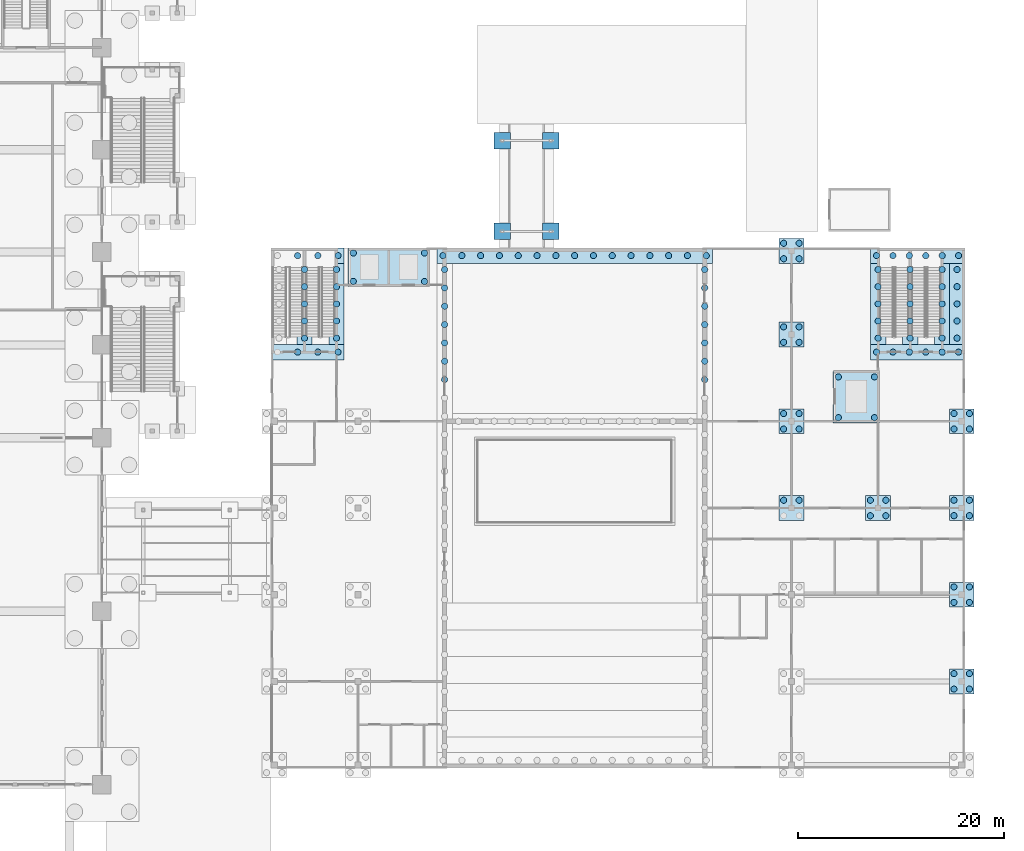
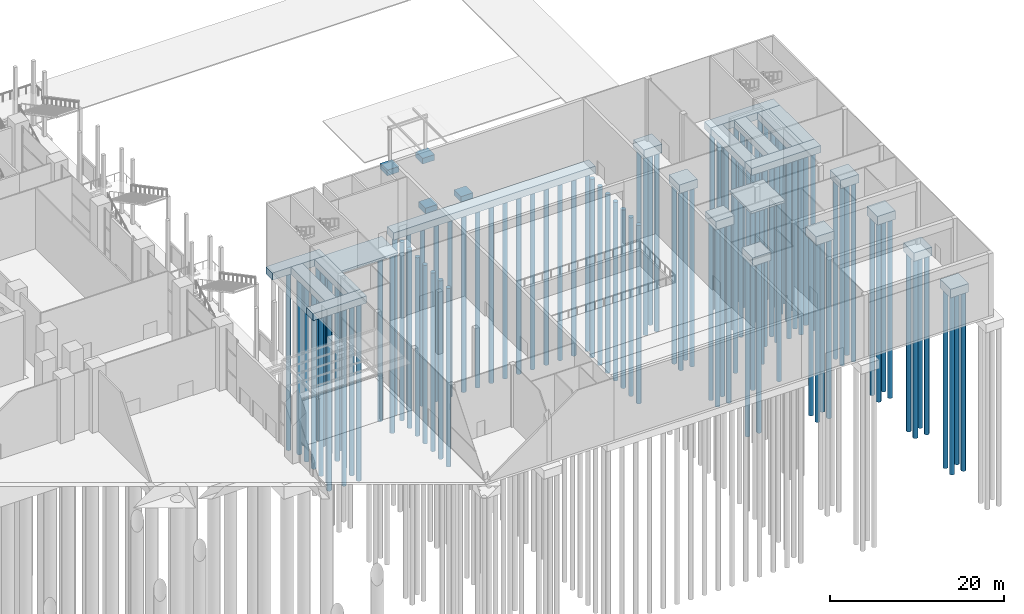
# One storey, part 4 of 72: 119 piles, 26 footings.
"""IFC4 building model written with IfcOpenShell, lengths in metres."""

from ifc_helpers import new_model, si_unit, direction, frame, origin, origin_2d, place, context, subcontext, project, spatial, polyline, circle, outline, extrude, material, layer, layer_set, type_object, element, save


model = new_model("IFC4")

# Units and contexts
model_context = context("Model", 3, precision=1e-05, world=origin(), true_north=direction((0.0, 1.0)))
body_context = subcontext(model_context, "Body", "Model", "MODEL_VIEW")
ifc_project = project(units=[si_unit("LENGTHUNIT", "METRE"), si_unit("AREAUNIT", "SQUARE_METRE"), si_unit("VOLUMEUNIT", "CUBIC_METRE"), si_unit("PLANEANGLEUNIT", "RADIAN"), si_unit("MASSUNIT", "GRAM", prefix="KILO")], contexts=[model_context])

# Site, building, storey
site_placement = place(None, origin())
site = spatial("IfcSite", under=ifc_project, at=site_placement, CompositionType="ELEMENT")
building_placement = place(site_placement, origin())
building = spatial("IfcBuilding", under=site, at=building_placement, Name="Candeia Pilgrim Tower and Theatre", CompositionType="ELEMENT")
storey_placement = place(building_placement, origin())
storey = spatial("IfcBuildingStorey", under=building, at=storey_placement, Name="L00", CompositionType="ELEMENT", Elevation=0.0)

# Footings
ifc_material = material(Name="Concrete C35/45", Category="concrete")
footing_type_1 = type_object("IfcFootingType", Name="Arcade pad footing 1600", PredefinedType="PAD_FOOTING", material=ifc_material)
footing_1_placement = place(storey_placement, frame((0.0, 0.0, -1.0)))
element("IfcFooting", 1, at=footing_1_placement, inside=storey, type_object=footing_type_1, Name="Loading canopy pad 1", PredefinedType="PAD_FOOTING", context=body_context, shape_type="SweptSolid", body=[
    extrude(outline(polyline([(197.60009765625, 117.199951171875), (199.199951171875, 117.199951171875), (199.199951171875, 118.800048828125), (197.60009765625, 118.800048828125), (197.60009765625, 117.199951171875)])), origin(), (0.0, 0.0, 1.0), 0.800048828125),
])
footing_2_placement = place(storey_placement, frame((0.0, 0.0, -1.0)))
element("IfcFooting", 2, at=footing_2_placement, inside=storey, type_object=footing_type_1, Name="Loading canopy pad 2", PredefinedType="PAD_FOOTING", context=body_context, shape_type="SweptSolid", body=[
    extrude(outline(polyline([(202.300048828125, 117.199951171875), (203.89990234375, 117.199951171875), (203.89990234375, 118.800048828125), (202.300048828125, 118.800048828125), (202.300048828125, 117.199951171875)])), origin(), (0.0, 0.0, 1.0), 0.800048828125),
])
footing_3_placement = place(storey_placement, frame((0.0, 0.0, -1.0)))
element("IfcFooting", 3, at=footing_3_placement, inside=storey, type_object=footing_type_1, Name="Loading canopy pad 3", PredefinedType="PAD_FOOTING", context=body_context, shape_type="SweptSolid", body=[
    extrude(outline(polyline([(197.60009765625, 126.0), (199.199951171875, 126.0), (199.199951171875, 127.60009765625), (197.60009765625, 127.60009765625), (197.60009765625, 126.0)])), origin(), (0.0, 0.0, 1.0), 0.800048828125),
])
footing_4_placement = place(storey_placement, frame((0.0, 0.0, -1.0)))
element("IfcFooting", 4, at=footing_4_placement, inside=storey, type_object=footing_type_1, Name="Loading canopy pad 4", PredefinedType="PAD_FOOTING", context=body_context, shape_type="SweptSolid", body=[
    extrude(outline(polyline([(202.300048828125, 126.0), (203.89990234375, 126.0), (203.89990234375, 127.60009765625), (202.300048828125, 127.60009765625), (202.300048828125, 126.0)])), origin(), (0.0, 0.0, 1.0), 0.800048828125),
])

# Piles
pile_type = type_object("IfcPileType", Name="Bored pile D600", PredefinedType="BORED", material=ifc_material)
for number, where, z_axis, x_axis, name in (
    (5, (225.64990234375, 91.949951171875, -1.5), (0.0, 0.0, -1.0), (1.0, 0.0, 0.0), "T-FP-D7-3"),
    (6, (227.14990234375, 91.949951171875, -1.5), (0.0, 0.0, -1.0), (1.0, 0.0, 0.0), "T-FP-D7-4"),
    (7, (225.64990234375, 98.85009765625, -1.5), (0.0, 0.0, -1.0), (1.0, 0.0, 0.0), "T-FP-E7-1"),
    (8, (227.14990234375, 98.85009765625, -1.5), (0.0, 0.0, -1.0), (1.0, 0.0, 0.0), "T-FP-E7-2"),
    (9, (225.64990234375, 100.35009765625, -1.5), (0.0, 0.0, -1.0), (1.0, 0.0, 0.0), "T-FP-E7-3"),
    (10, (227.14990234375, 100.35009765625, -1.5), (0.0, 0.0, -1.0), (1.0, 0.0, 0.0), "T-FP-E7-4"),
    (11, (225.64990234375, 107.25, -1.5), (0.0, 0.0, -1.0), (1.0, 0.0, 0.0), "T-FP-F7-1"),
    (12, (227.14990234375, 107.25, -1.5), (0.0, 0.0, -1.0), (1.0, 0.0, 0.0), "T-FP-F7-2"),
    (13, (225.64990234375, 108.75, -1.5), (0.0, 0.0, -1.0), (1.0, 0.0, 0.0), "T-FP-F7-3"),
    (14, (227.14990234375, 108.75, -1.5), (0.0, 0.0, -1.0), (1.0, 0.0, 0.0), "T-FP-F7-4"),
    (15, (225.64990234375, 115.35009765625, -1.5), (0.0, 0.0, -1.0), (1.0, 0.0, 0.0), "T-FP-G7-1"),
    (16, (227.14990234375, 115.35009765625, -1.5), (0.0, 0.0, -1.0), (1.0, 0.0, 0.0), "T-FP-G7-2"),
    (17, (225.64990234375, 116.85009765625, -1.5), (0.0, 0.0, -1.0), (1.0, 0.0, 0.0), "T-FP-G7-3"),
    (18, (227.14990234375, 116.85009765625, -1.5), (0.0, 0.0, -1.0), (1.0, 0.0, 0.0), "T-FP-G7-4"),
    (19, (234.050048828125, 90.449951171875, -1.5), (0.0, 0.0, -1.0), (1.0, 0.0, 0.0), "T-FP-D8-1"),
    (20, (235.550048828125, 90.449951171875, -1.5), (0.0, 0.0, -1.0), (1.0, 0.0, 0.0), "T-FP-D8-2"),
    (21, (234.050048828125, 91.949951171875, -1.5), (0.0, 0.0, -1.0), (1.0, 0.0, 0.0), "T-FP-D8-3"),
    (22, (235.550048828125, 91.949951171875, -1.5), (0.0, 0.0, -1.0), (1.0, 0.0, 0.0), "T-FP-D8-4"),
    (23, (242.14990234375, 73.64990234375, -1.5), (0.0, 0.0, -1.0), (1.0, 0.0, 0.0), "T-FP-B9-1"),
    (24, (243.64990234375, 73.64990234375, -1.5), (0.0, 0.0, -1.0), (1.0, 0.0, 0.0), "T-FP-B9-2"),
    (25, (242.14990234375, 75.14990234375, -1.5), (0.0, 0.0, -1.0), (1.0, 0.0, 0.0), "T-FP-B9-3"),
    (26, (243.64990234375, 75.14990234375, -1.5), (0.0, 0.0, -1.0), (1.0, 0.0, 0.0), "T-FP-B9-4"),
    (27, (242.14990234375, 82.050048828125, -1.5), (0.0, 0.0, -1.0), (1.0, 0.0, 0.0), "T-FP-C9-1"),
    (28, (243.64990234375, 82.050048828125, -1.5), (0.0, 0.0, -1.0), (1.0, 0.0, 0.0), "T-FP-C9-2"),
    (29, (242.14990234375, 83.550048828125, -1.5), (0.0, 0.0, -1.0), (1.0, 0.0, 0.0), "T-FP-C9-3"),
    (30, (243.64990234375, 83.550048828125, -1.5), (0.0, 0.0, -1.0), (1.0, 0.0, 0.0), "T-FP-C9-4"),
    (31, (242.14990234375, 90.449951171875, -1.5), (0.0, 0.0, -1.0), (1.0, 0.0, 0.0), "T-FP-D9-1"),
    (32, (243.64990234375, 90.449951171875, -1.5), (0.0, 0.0, -1.0), (1.0, 0.0, 0.0), "T-FP-D9-2"),
    (33, (242.14990234375, 91.949951171875, -1.5), (0.0, 0.0, -1.0), (1.0, 0.0, 0.0), "T-FP-D9-3"),
    (34, (243.64990234375, 91.949951171875, -1.5), (0.0, 0.0, -1.0), (1.0, 0.0, 0.0), "T-FP-D9-4"),
    (35, (242.14990234375, 98.85009765625, -1.5), (0.0, 0.0, -1.0), (1.0, 0.0, 0.0), "T-FP-E9-1"),
    (36, (243.64990234375, 98.85009765625, -1.5), (0.0, 0.0, -1.0), (1.0, 0.0, 0.0), "T-FP-E9-2"),
    (37, (242.14990234375, 100.35009765625, -1.5), (0.0, 0.0, -1.0), (1.0, 0.0, 0.0), "T-FP-E9-3"),
    (38, (243.64990234375, 100.35009765625, -1.5), (0.0, 0.0, -1.0), (1.0, 0.0, 0.0), "T-FP-E9-4"),
    (39, (178.558349609375, 106.300048828125, -1.300048828125), (0.0, 0.0, -1.0), (1.0, 0.0, 0.0), "T-FSP-003-2"),
    (40, (180.5166015625, 106.300048828125, -1.300048828125), (0.0, 0.0, -1.0), (1.0, 0.0, 0.0), "T-FSP-003-3"),
    (41, (182.47509765625, 106.300048828125, -1.300048828125), (0.0, 0.0, -1.0), (1.0, 0.0, 0.0), "T-FSP-003-4"),
    (42, (234.64990234375, 106.300048828125, -1.300048828125), (0.0, 0.0, -1.0), (1.0, 0.0, 0.0), "T-FSP-004-1"),
    (43, (236.239990234375, 106.300048828125, -1.300048828125), (0.0, 0.0, -1.0), (1.0, 0.0, 0.0), "T-FSP-004-2"),
    (44, (237.830078125, 106.300048828125, -1.300048828125), (0.0, 0.0, -1.0), (1.0, 0.0, 0.0), "T-FSP-004-3"),
    (45, (239.419921875, 106.300048828125, -1.300048828125), (0.0, 0.0, -1.0), (1.0, 0.0, 0.0), "T-FSP-004-4"),
    (46, (241.010009765625, 106.300048828125, -1.300048828125), (0.0, 0.0, -1.0), (1.0, 0.0, 0.0), "T-FSP-004-5"),
    (47, (242.60009765625, 106.300048828125, -1.300048828125), (0.0, 0.0, -1.0), (1.0, 0.0, 0.0), "T-FSP-004-6"),
    (48, (178.558349609375, 115.64990234375, -1.300048828125), (0.0, 0.0, -1.0), (1.0, 0.0, 0.0), "T-FSP-005-2"),
    (49, (180.5166015625, 115.64990234375, -1.300048828125), (0.0, 0.0, -1.0), (1.0, 0.0, 0.0), "T-FSP-005-3"),
    (50, (182.47509765625, 115.64990234375, -1.300048828125), (0.0, 0.0, -1.0), (1.0, 0.0, 0.0), "T-FSP-005-4"),
    (51, (192.64990234375, 115.64990234375, -1.300048828125), (0.0, 0.0, -1.0), (1.0, 0.0, 0.0), "T-FSP-006-1"),
    (52, (194.471435546875, 115.64990234375, -1.300048828125), (0.0, 0.0, -1.0), (1.0, 0.0, 0.0), "T-FSP-006-2"),
    (53, (196.29296875, 115.64990234375, -1.300048828125), (0.0, 0.0, -1.0), (1.0, 0.0, 0.0), "T-FSP-006-3"),
    (54, (198.1142578125, 115.64990234375, -1.300048828125), (0.0, 0.0, -1.0), (1.0, 0.0, 0.0), "T-FSP-006-4"),
    (55, (199.935791015625, 115.64990234375, -1.300048828125), (0.0, 0.0, -1.0), (1.0, 0.0, 0.0), "T-FSP-006-5"),
    (56, (201.757080078125, 115.64990234375, -1.300048828125), (0.0, 0.0, -1.0), (1.0, 0.0, 0.0), "T-FSP-006-6"),
    (57, (203.57861328125, 115.64990234375, -1.300048828125), (0.0, 0.0, -1.0), (1.0, 0.0, 0.0), "T-FSP-006-7"),
    (58, (205.39990234375, 115.64990234375, -1.300048828125), (0.0, 0.0, -1.0), (1.0, 0.0, 0.0), "T-FSP-006-8"),
    (59, (207.221435546875, 115.64990234375, -1.300048828125), (0.0, 0.0, -1.0), (1.0, 0.0, 0.0), "T-FSP-006-9"),
    (60, (209.04296875, 115.64990234375, -1.300048828125), (0.0, 0.0, -1.0), (1.0, 0.0, 0.0), "T-FSP-006-10"),
    (61, (210.8642578125, 115.64990234375, -1.300048828125), (0.0, 0.0, -1.0), (1.0, 0.0, 0.0), "T-FSP-006-11"),
    (62, (212.685791015625, 115.64990234375, -1.300048828125), (0.0, 0.0, -1.0), (1.0, 0.0, 0.0), "T-FSP-006-12"),
    (63, (214.507080078125, 115.64990234375, -1.300048828125), (0.0, 0.0, -1.0), (1.0, 0.0, 0.0), "T-FSP-006-13"),
    (64, (216.32861328125, 115.64990234375, -1.300048828125), (0.0, 0.0, -1.0), (1.0, 0.0, 0.0), "T-FSP-006-14"),
    (65, (218.14990234375, 115.64990234375, -1.300048828125), (0.0, 0.0, -1.0), (1.0, 0.0, 0.0), "T-FSP-006-15"),
    (66, (234.64990234375, 115.64990234375, -1.300048828125), (0.0, 0.0, -1.0), (1.0, 0.0, 0.0), "T-FSP-007-1"),
    (67, (236.239990234375, 115.64990234375, -1.300048828125), (0.0, 0.0, -1.0), (1.0, 0.0, 0.0), "T-FSP-007-2"),
    (68, (237.830078125, 115.64990234375, -1.300048828125), (0.0, 0.0, -1.0), (1.0, 0.0, 0.0), "T-FSP-007-3"),
    (69, (239.419921875, 115.64990234375, -1.300048828125), (0.0, 0.0, -1.0), (1.0, 0.0, 0.0), "T-FSP-007-4"),
    (70, (241.010009765625, 115.64990234375, -1.300048828125), (0.0, 0.0, -1.0), (1.0, 0.0, 0.0), "T-FSP-007-5"),
    (71, (242.60009765625, 115.64990234375, -1.300048828125), (0.0, 0.0, -1.0), (1.0, 0.0, 0.0), "T-FSP-007-6"),
    (72, (179.22509765625, 107.64990234375, -1.300048828125), (0.0, 0.0, -1.0), (1.0, 0.0, 0.0), "T-FSP-009-1"),
    (73, (179.22509765625, 109.3125, -1.300048828125), (0.0, 0.0, -1.0), (1.0, 0.0, 0.0), "T-FSP-009-2"),
    (74, (179.22509765625, 110.97509765625, -1.300048828125), (0.0, 0.0, -1.0), (1.0, 0.0, 0.0), "T-FSP-009-3"),
    (75, (179.22509765625, 112.637451171875, -1.300048828125), (0.0, 0.0, -1.0), (1.0, 0.0, 0.0), "T-FSP-009-4"),
    (76, (179.22509765625, 114.300048828125, -1.300048828125), (0.0, 0.0, -1.0), (1.0, 0.0, 0.0), "T-FSP-009-5"),
    (77, (182.324951171875, 107.64990234375, -1.300048828125), (0.0, 0.0, -1.0), (1.0, 0.0, 0.0), "T-FSP-010-1"),
    (78, (182.324951171875, 109.3125, -1.300048828125), (0.0, 0.0, -1.0), (1.0, 0.0, 0.0), "T-FSP-010-2"),
    (79, (182.324951171875, 110.97509765625, -1.300048828125), (0.0, 0.0, -1.0), (1.0, 0.0, 0.0), "T-FSP-010-3"),
    (80, (182.324951171875, 112.637451171875, -1.300048828125), (0.0, 0.0, -1.0), (1.0, 0.0, 0.0), "T-FSP-010-4"),
    (81, (182.324951171875, 114.300048828125, -1.300048828125), (0.0, 0.0, -1.0), (1.0, 0.0, 0.0), "T-FSP-010-5"),
    (82, (192.800048828125, 103.638427734375, -1.300048828125), (0.0, 0.0, -1.0), (1.0, 0.0, 0.0), "T-FSP-011-21"),
    (83, (192.800048828125, 105.415283203125, -1.300048828125), (0.0, 0.0, -1.0), (1.0, 0.0, 0.0), "T-FSP-011-22"),
    (84, (192.800048828125, 107.1923828125, -1.300048828125), (0.0, 0.0, -1.0), (1.0, 0.0, 0.0), "T-FSP-011-23"),
    (85, (192.800048828125, 108.96923828125, -1.300048828125), (0.0, 0.0, -1.0), (1.0, 0.0, 0.0), "T-FSP-011-24"),
    (86, (192.800048828125, 110.74609375, -1.300048828125), (0.0, 0.0, -1.0), (1.0, 0.0, 0.0), "T-FSP-011-25"),
    (87, (192.800048828125, 112.523193359375, -1.300048828125), (0.0, 0.0, -1.0), (1.0, 0.0, 0.0), "T-FSP-011-26"),
    (88, (192.800048828125, 114.300048828125, -1.300048828125), (0.0, 0.0, -1.0), (1.0, 0.0, 0.0), "T-FSP-011-27"),
    (89, (218.0, 103.638427734375, -1.300048828125), (0.0, 0.0, -1.0), (1.0, 0.0, 0.0), "T-FSP-012-21"),
    (90, (218.0, 105.415283203125, -1.300048828125), (0.0, 0.0, -1.0), (1.0, 0.0, 0.0), "T-FSP-012-22"),
    (91, (218.0, 107.1923828125, -1.300048828125), (0.0, 0.0, -1.0), (1.0, 0.0, 0.0), "T-FSP-012-23"),
    (92, (218.0, 108.96923828125, -1.300048828125), (0.0, 0.0, -1.0), (1.0, 0.0, 0.0), "T-FSP-012-24"),
    (93, (218.0, 110.74609375, -1.300048828125), (0.0, 0.0, -1.0), (1.0, 0.0, 0.0), "T-FSP-012-25"),
    (94, (218.0, 112.523193359375, -1.300048828125), (0.0, 0.0, -1.0), (1.0, 0.0, 0.0), "T-FSP-012-26"),
    (95, (218.0, 114.300048828125, -1.300048828125), (0.0, 0.0, -1.0), (1.0, 0.0, 0.0), "T-FSP-012-27"),
    (96, (234.800048828125, 107.64990234375, -1.300048828125), (0.0, 0.0, -1.0), (1.0, 0.0, 0.0), "T-FSP-013-1"),
    (97, (234.800048828125, 109.3125, -1.300048828125), (0.0, 0.0, -1.0), (1.0, 0.0, 0.0), "T-FSP-013-2"),
    (98, (234.800048828125, 110.97509765625, -1.300048828125), (0.0, 0.0, -1.0), (1.0, 0.0, 0.0), "T-FSP-013-3"),
    (99, (234.800048828125, 112.637451171875, -1.300048828125), (0.0, 0.0, -1.0), (1.0, 0.0, 0.0), "T-FSP-013-4"),
    (100, (234.800048828125, 114.300048828125, -1.300048828125), (0.0, 0.0, -1.0), (1.0, 0.0, 0.0), "T-FSP-013-5"),
    (101, (237.89990234375, 107.64990234375, -1.300048828125), (0.0, 0.0, -1.0), (1.0, 0.0, 0.0), "T-FSP-014-1"),
    (102, (237.89990234375, 109.3125, -1.300048828125), (0.0, 0.0, -1.0), (1.0, 0.0, 0.0), "T-FSP-014-2"),
    (103, (237.89990234375, 110.97509765625, -1.300048828125), (0.0, 0.0, -1.0), (1.0, 0.0, 0.0), "T-FSP-014-3"),
    (104, (237.89990234375, 112.637451171875, -1.300048828125), (0.0, 0.0, -1.0), (1.0, 0.0, 0.0), "T-FSP-014-4"),
    (105, (237.89990234375, 114.300048828125, -1.300048828125), (0.0, 0.0, -1.0), (1.0, 0.0, 0.0), "T-FSP-014-5"),
    (106, (241.0, 107.64990234375, -1.300048828125), (0.0, 0.0, -1.0), (1.0, 0.0, 0.0), "T-FSP-015-1"),
    (107, (241.0, 109.3125, -1.300048828125), (0.0, 0.0, -1.0), (1.0, 0.0, 0.0), "T-FSP-015-2"),
    (108, (241.0, 110.97509765625, -1.300048828125), (0.0, 0.0, -1.0), (1.0, 0.0, 0.0), "T-FSP-015-3"),
    (109, (241.0, 112.637451171875, -1.300048828125), (0.0, 0.0, -1.0), (1.0, 0.0, 0.0), "T-FSP-015-4"),
    (110, (241.0, 114.300048828125, -1.300048828125), (0.0, 0.0, -1.0), (1.0, 0.0, 0.0), "T-FSP-015-5"),
    (111, (242.449951171875, 107.64990234375, -1.300048828125), (0.0, 0.0, -1.0), (1.0, 0.0, 0.0), "T-FSP-016-1"),
    (112, (242.449951171875, 109.3125, -1.300048828125), (0.0, 0.0, -1.0), (1.0, 0.0, 0.0), "T-FSP-016-2"),
    (113, (242.449951171875, 110.97509765625, -1.300048828125), (0.0, 0.0, -1.0), (1.0, 0.0, 0.0), "T-FSP-016-3"),
    (114, (242.449951171875, 112.637451171875, -1.300048828125), (0.0, 0.0, -1.0), (1.0, 0.0, 0.0), "T-FSP-016-4"),
    (115, (242.449951171875, 114.300048828125, -1.300048828125), (0.0, 0.0, -1.0), (1.0, 0.0, 0.0), "T-FSP-016-5"),
    (116, (183.949951171875, 113.14990234375, -1.699951171875), (0.0, 0.0, -1.0), (1.0, 0.0, 0.0), "T-PRP-LA-1"),
    (117, (190.85009765625, 113.14990234375, -1.699951171875), (0.0, 0.0, -1.0), (1.0, 0.0, 0.0), "T-PRP-LA-2"),
    (118, (183.949951171875, 115.89990234375, -1.699951171875), (0.0, 0.0, -1.0), (1.0, 0.0, 0.0), "T-PRP-LA-3"),
    (119, (190.85009765625, 115.89990234375, -1.699951171875), (0.0, 0.0, -1.0), (1.0, 0.0, 0.0), "T-PRP-LA-4"),
    (120, (230.949951171875, 99.949951171875, -1.699951171875), (0.0, 0.0, -1.0), (1.0, 0.0, 0.0), "T-PRP-LG-1"),
    (121, (234.449951171875, 99.949951171875, -1.699951171875), (0.0, 0.0, -1.0), (1.0, 0.0, 0.0), "T-PRP-LG-2"),
    (122, (230.949951171875, 103.89990234375, -1.699951171875), (0.0, 0.0, -1.0), (1.0, 0.0, 0.0), "T-PRP-LG-3"),
    (123, (234.449951171875, 103.89990234375, -1.699951171875), (0.0, 0.0, -1.0), (1.0, 0.0, 0.0), "T-PRP-LG-4"),
):
    element("IfcPile", number, at=place(storey_placement, frame(where, z_axis=z_axis, x_axis=x_axis)), inside=storey, type_object=pile_type, Name=name, PredefinedType="BORED", context=body_context, shape_type="SweptSolid", body=[
        extrude(circle(Radius=0.300048828125, at=origin_2d()), origin(), (0.0, 0.0, 1.0), 25.0),
    ])

# Footings
ifc_layer = layer(ifc_material, 0.300048828125)
ifc_layer_set = layer_set([ifc_layer], Name="Lift pit raft 300")
footing_type_2 = type_object("IfcFootingType", Name="Lift pit raft 300", PredefinedType="PAD_FOOTING", material=ifc_layer_set)
footing_5_placement = place(storey_placement, frame((0.0, 0.0, -1.699951171875)))
element("IfcFooting", 124, at=footing_5_placement, inside=storey, type_object=footing_type_2, Name="Lift pit raft LA", PredefinedType="PAD_FOOTING", context=body_context, shape_type="SweptSolid", body=[
    extrude(outline(polyline([(183.449951171875, 112.64990234375), (191.35009765625, 112.64990234375), (191.35009765625, 116.39990234375), (183.449951171875, 116.39990234375), (183.449951171875, 112.64990234375)])), origin(), (0.0, 0.0, 1.0), 0.300048828125),
])
footing_6_placement = place(storey_placement, frame((0.0, 0.0, -1.699951171875)))
element("IfcFooting", 125, at=footing_6_placement, inside=storey, type_object=footing_type_2, Name="Lift pit raft LG", PredefinedType="PAD_FOOTING", context=body_context, shape_type="SweptSolid", body=[
    extrude(outline(polyline([(230.449951171875, 99.449951171875), (234.949951171875, 99.449951171875), (234.949951171875, 104.39990234375), (230.449951171875, 104.39990234375), (230.449951171875, 99.449951171875)])), origin(), (0.0, 0.0, 1.0), 0.300048828125),
])
footing_type_3 = type_object("IfcFootingType", Name="Theatre pile cap 2400x2400", PredefinedType="PILE_CAP", material=ifc_material)
footing_7_placement = place(storey_placement, frame((0.0, 0.0, -1.5)))
element("IfcFooting", 126, at=footing_7_placement, inside=storey, type_object=footing_type_3, Name="Pile cap D7", PredefinedType="PILE_CAP", context=body_context, shape_type="SweptSolid", body=[
    extrude(outline(polyline([(225.199951171875, 90.0), (227.60009765625, 90.0), (227.60009765625, 92.39990234375), (225.199951171875, 92.39990234375), (225.199951171875, 90.0)])), origin(), (0.0, 0.0, 1.0), 1.199951171875),
])
footing_8_placement = place(storey_placement, frame((0.0, 0.0, -1.5)))
element("IfcFooting", 127, at=footing_8_placement, inside=storey, type_object=footing_type_3, Name="Pile cap E7", PredefinedType="PILE_CAP", context=body_context, shape_type="SweptSolid", body=[
    extrude(outline(polyline([(225.199951171875, 98.39990234375), (227.60009765625, 98.39990234375), (227.60009765625, 100.800048828125), (225.199951171875, 100.800048828125), (225.199951171875, 98.39990234375)])), origin(), (0.0, 0.0, 1.0), 1.199951171875),
])
footing_9_placement = place(storey_placement, frame((0.0, 0.0, -1.5)))
element("IfcFooting", 128, at=footing_9_placement, inside=storey, type_object=footing_type_3, Name="Pile cap F7", PredefinedType="PILE_CAP", context=body_context, shape_type="SweptSolid", body=[
    extrude(outline(polyline([(225.199951171875, 106.800048828125), (227.60009765625, 106.800048828125), (227.60009765625, 109.199951171875), (225.199951171875, 109.199951171875), (225.199951171875, 106.800048828125)])), origin(), (0.0, 0.0, 1.0), 1.199951171875),
])
footing_10_placement = place(storey_placement, frame((0.0, 0.0, -1.5)))
element("IfcFooting", 129, at=footing_10_placement, inside=storey, type_object=footing_type_3, Name="Pile cap G7", PredefinedType="PILE_CAP", context=body_context, shape_type="SweptSolid", body=[
    extrude(outline(polyline([(225.199951171875, 114.89990234375), (227.60009765625, 114.89990234375), (227.60009765625, 117.300048828125), (225.199951171875, 117.300048828125), (225.199951171875, 114.89990234375)])), origin(), (0.0, 0.0, 1.0), 1.199951171875),
])
footing_11_placement = place(storey_placement, frame((0.0, 0.0, -1.5)))
element("IfcFooting", 130, at=footing_11_placement, inside=storey, type_object=footing_type_3, Name="Pile cap D8", PredefinedType="PILE_CAP", context=body_context, shape_type="SweptSolid", body=[
    extrude(outline(polyline([(233.60009765625, 90.0), (236.0, 90.0), (236.0, 92.39990234375), (233.60009765625, 92.39990234375), (233.60009765625, 90.0)])), origin(), (0.0, 0.0, 1.0), 1.199951171875),
])
footing_12_placement = place(storey_placement, frame((0.0, 0.0, -1.5)))
element("IfcFooting", 131, at=footing_12_placement, inside=storey, type_object=footing_type_3, Name="Pile cap B9", PredefinedType="PILE_CAP", context=body_context, shape_type="SweptSolid", body=[
    extrude(outline(polyline([(241.699951171875, 73.199951171875), (244.10009765625, 73.199951171875), (244.10009765625, 75.60009765625), (241.699951171875, 75.60009765625), (241.699951171875, 73.199951171875)])), origin(), (0.0, 0.0, 1.0), 1.199951171875),
])
footing_13_placement = place(storey_placement, frame((0.0, 0.0, -1.5)))
element("IfcFooting", 132, at=footing_13_placement, inside=storey, type_object=footing_type_3, Name="Pile cap C9", PredefinedType="PILE_CAP", context=body_context, shape_type="SweptSolid", body=[
    extrude(outline(polyline([(241.699951171875, 81.60009765625), (244.10009765625, 81.60009765625), (244.10009765625, 84.0), (241.699951171875, 84.0), (241.699951171875, 81.60009765625)])), origin(), (0.0, 0.0, 1.0), 1.199951171875),
])
footing_14_placement = place(storey_placement, frame((0.0, 0.0, -1.5)))
element("IfcFooting", 133, at=footing_14_placement, inside=storey, type_object=footing_type_3, Name="Pile cap D9", PredefinedType="PILE_CAP", context=body_context, shape_type="SweptSolid", body=[
    extrude(outline(polyline([(241.699951171875, 90.0), (244.10009765625, 90.0), (244.10009765625, 92.39990234375), (241.699951171875, 92.39990234375), (241.699951171875, 90.0)])), origin(), (0.0, 0.0, 1.0), 1.199951171875),
])
footing_15_placement = place(storey_placement, frame((0.0, 0.0, -1.5)))
element("IfcFooting", 134, at=footing_15_placement, inside=storey, type_object=footing_type_3, Name="Pile cap E9", PredefinedType="PILE_CAP", context=body_context, shape_type="SweptSolid", body=[
    extrude(outline(polyline([(241.699951171875, 98.39990234375), (244.10009765625, 98.39990234375), (244.10009765625, 100.800048828125), (241.699951171875, 100.800048828125), (241.699951171875, 98.39990234375)])), origin(), (0.0, 0.0, 1.0), 1.199951171875),
])
footing_type_4 = type_object("IfcFootingType", Name="Theatre wall footing 1500", PredefinedType="STRIP_FOOTING", material=ifc_material)
footing_16_placement = place(storey_placement, frame((0.0, 0.0, -1.300048828125)))
element("IfcFooting", 135, at=footing_16_placement, inside=storey, type_object=footing_type_4, Name="Wall footing 3", PredefinedType="STRIP_FOOTING", context=body_context, shape_type="SweptSolid", body=[
    extrude(outline(polyline([(176.0, 105.550048828125), (183.074951171875, 105.550048828125), (183.074951171875, 107.050048828125), (176.0, 107.050048828125), (176.0, 105.550048828125)])), origin(), (0.0, 0.0, 1.0), 1.0),
])
footing_17_placement = place(storey_placement, frame((0.0, 0.0, -1.300048828125)))
element("IfcFooting", 136, at=footing_17_placement, inside=storey, type_object=footing_type_4, Name="Wall footing 4", PredefinedType="STRIP_FOOTING", context=body_context, shape_type="SweptSolid", body=[
    extrude(outline(polyline([(234.050048828125, 105.550048828125), (243.199951171875, 105.550048828125), (243.199951171875, 107.050048828125), (234.050048828125, 107.050048828125), (234.050048828125, 105.550048828125)])), origin(), (0.0, 0.0, 1.0), 1.0),
])
footing_18_placement = place(storey_placement, frame((0.0, 0.0, -1.300048828125)))
element("IfcFooting", 137, at=footing_18_placement, inside=storey, type_object=footing_type_4, Name="Wall footing 5", PredefinedType="STRIP_FOOTING", context=body_context, shape_type="SweptSolid", body=[
    extrude(outline(polyline([(176.0, 114.89990234375), (183.074951171875, 114.89990234375), (183.074951171875, 116.39990234375), (176.0, 116.39990234375), (176.0, 114.89990234375)])), origin(), (0.0, 0.0, 1.0), 1.0),
])
footing_19_placement = place(storey_placement, frame((0.0, 0.0, -1.300048828125)))
element("IfcFooting", 138, at=footing_19_placement, inside=storey, type_object=footing_type_4, Name="Wall footing 6", PredefinedType="STRIP_FOOTING", context=body_context, shape_type="SweptSolid", body=[
    extrude(outline(polyline([(192.050048828125, 114.89990234375), (218.75, 114.89990234375), (218.75, 116.39990234375), (192.050048828125, 116.39990234375), (192.050048828125, 114.89990234375)])), origin(), (0.0, 0.0, 1.0), 1.0),
])
footing_20_placement = place(storey_placement, frame((0.0, 0.0, -1.300048828125)))
element("IfcFooting", 139, at=footing_20_placement, inside=storey, type_object=footing_type_4, Name="Wall footing 7", PredefinedType="STRIP_FOOTING", context=body_context, shape_type="SweptSolid", body=[
    extrude(outline(polyline([(234.050048828125, 114.89990234375), (243.199951171875, 114.89990234375), (243.199951171875, 116.39990234375), (234.050048828125, 116.39990234375), (234.050048828125, 114.89990234375)])), origin(), (0.0, 0.0, 1.0), 1.0),
])
footing_21_placement = place(storey_placement, frame((0.0, 0.0, -1.300048828125)))
element("IfcFooting", 140, at=footing_21_placement, inside=storey, type_object=footing_type_4, Name="Wall footing 9", PredefinedType="STRIP_FOOTING", context=body_context, shape_type="SweptSolid", body=[
    extrude(outline(polyline([(178.47509765625, 107.050048828125), (179.97509765625, 107.050048828125), (179.97509765625, 114.89990234375), (178.47509765625, 114.89990234375), (178.47509765625, 107.050048828125)])), origin(), (0.0, 0.0, 1.0), 1.0),
])
footing_22_placement = place(storey_placement, frame((0.0, 0.0, -1.300048828125)))
element("IfcFooting", 141, at=footing_22_placement, inside=storey, type_object=footing_type_4, Name="Wall footing 10", PredefinedType="STRIP_FOOTING", context=body_context, shape_type="SweptSolid", body=[
    extrude(outline(polyline([(181.574951171875, 107.050048828125), (183.074951171875, 107.050048828125), (183.074951171875, 114.89990234375), (181.574951171875, 114.89990234375), (181.574951171875, 107.050048828125)])), origin(), (0.0, 0.0, 1.0), 1.0),
])
footing_23_placement = place(storey_placement, frame((0.0, 0.0, -1.300048828125)))
element("IfcFooting", 142, at=footing_23_placement, inside=storey, type_object=footing_type_4, Name="Wall footing 13", PredefinedType="STRIP_FOOTING", context=body_context, shape_type="SweptSolid", body=[
    extrude(outline(polyline([(234.050048828125, 107.050048828125), (235.550048828125, 107.050048828125), (235.550048828125, 114.89990234375), (234.050048828125, 114.89990234375), (234.050048828125, 107.050048828125)])), origin(), (0.0, 0.0, 1.0), 1.0),
])
footing_24_placement = place(storey_placement, frame((0.0, 0.0, -1.300048828125)))
element("IfcFooting", 143, at=footing_24_placement, inside=storey, type_object=footing_type_4, Name="Wall footing 14", PredefinedType="STRIP_FOOTING", context=body_context, shape_type="SweptSolid", body=[
    extrude(outline(polyline([(237.14990234375, 107.050048828125), (238.64990234375, 107.050048828125), (238.64990234375, 114.89990234375), (237.14990234375, 114.89990234375), (237.14990234375, 107.050048828125)])), origin(), (0.0, 0.0, 1.0), 1.0),
])
footing_25_placement = place(storey_placement, frame((0.0, 0.0, -1.300048828125)))
element("IfcFooting", 144, at=footing_25_placement, inside=storey, type_object=footing_type_4, Name="Wall footing 15", PredefinedType="STRIP_FOOTING", context=body_context, shape_type="SweptSolid", body=[
    extrude(outline(polyline([(240.25, 107.050048828125), (241.75, 107.050048828125), (241.75, 114.89990234375), (240.25, 114.89990234375), (240.25, 107.050048828125)])), origin(), (0.0, 0.0, 1.0), 1.0),
])
footing_26_placement = place(storey_placement, frame((0.0, 0.0, -1.300048828125)))
element("IfcFooting", 145, at=footing_26_placement, inside=storey, type_object=footing_type_4, Name="Wall footing 16", PredefinedType="STRIP_FOOTING", context=body_context, shape_type="SweptSolid", body=[
    extrude(outline(polyline([(241.699951171875, 107.050048828125), (243.199951171875, 107.050048828125), (243.199951171875, 114.89990234375), (241.699951171875, 114.89990234375), (241.699951171875, 107.050048828125)])), origin(), (0.0, 0.0, 1.0), 1.0),
])

save(model, "model.ifc")
